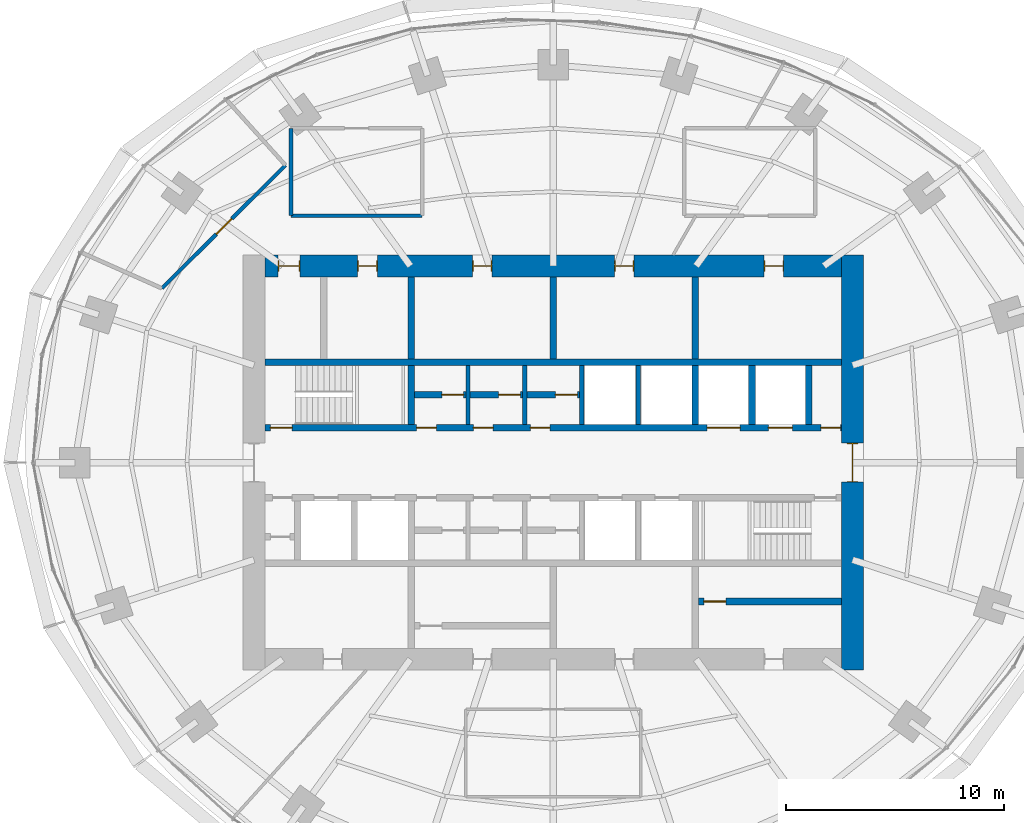
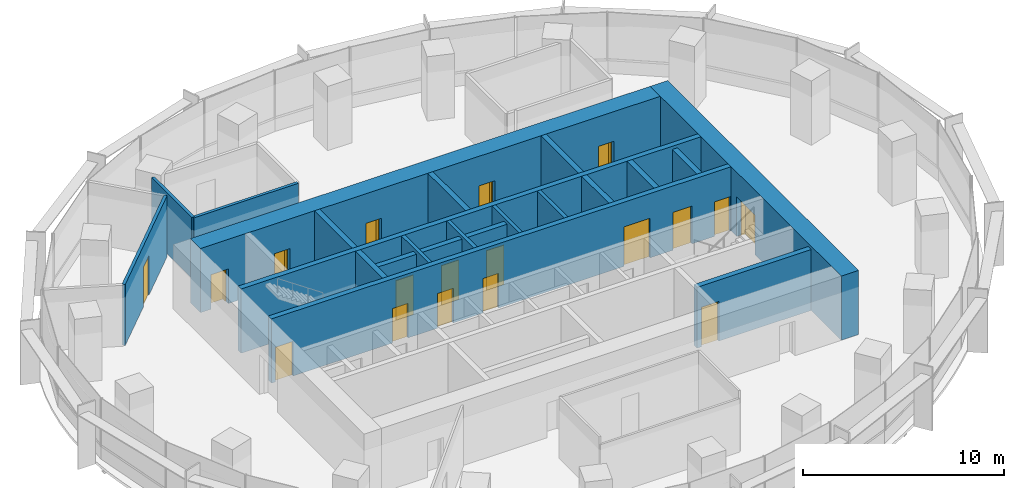
# One storey, part 11 of 14: 22 walls, 18 doors, 18 openings.
"""IFC4 building model written with IfcOpenShell, lengths in metres."""

from ifc_helpers import new_model, si_unit, direction, frame, frame_2d, origin, place, context, subcontext, project, spatial, rectangle, extrude, material, layer, layer_set, type_object, element, fill, save


model = new_model("IFC4")

# Units and contexts
model_context = context("Model", 3, precision=1e-05, world=origin(), true_north=direction((0.0, 1.0)))
body_context = subcontext(model_context, "Body", "Model", "MODEL_VIEW")
ifc_project = project(units=[si_unit("LENGTHUNIT", "METRE"), si_unit("AREAUNIT", "SQUARE_METRE"), si_unit("VOLUMEUNIT", "CUBIC_METRE"), si_unit("PLANEANGLEUNIT", "RADIAN"), si_unit("MASSUNIT", "GRAM", prefix="KILO")], contexts=[model_context])

# Site, building, storey
site_placement = place(None, origin())
site = spatial("IfcSite", under=ifc_project, at=site_placement, CompositionType="ELEMENT")
building_placement = place(site_placement, origin())
building = spatial("IfcBuilding", under=site, at=building_placement, Name="Marramba Exchange Tower", CompositionType="ELEMENT")
storey_placement = place(building_placement, frame((0.0, 0.0, 242.300048828125)))
storey = spatial("IfcBuildingStorey", under=building, at=storey_placement, Name="L59", CompositionType="ELEMENT", Elevation=242.300048828125)

# Walls
ifc_material_1 = material(Name="Plasterboard on staggered double steel studs, acoustic insulation", Category="steel")
ifc_layer_1 = layer(ifc_material_1, 0.169921875)
ifc_layer_set_1 = layer_set([ifc_layer_1], Name="Acoustic partition 170")
wall_type_1 = type_object("IfcWallType", Name="Acoustic partition 170", PredefinedType="PARTITIONING", material=ifc_layer_set_1)
wall_1_placement = place(storey_placement, frame((-6.0, 11.300048828125, 0.0), z_axis=(0.0, 0.0, 1.0), x_axis=(-1.0, 0.0, 0.0)))
element("IfcWall", 1, at=wall_1_placement, inside=storey, type_object=wall_type_1, Name="Acoustic partition L59 14", PredefinedType="PARTITIONING", context=body_context, shape_type="SweptSolid", body=[
    extrude(rectangle(XDim=6.0, YDim=0.169921875, at=frame_2d((3.0, 0.0))), origin(), (0.0, 0.0, 1.0), 3.699951171875),
])
wall_2_placement = place(storey_placement, frame((-12.0, 11.300048828125, 0.0), z_axis=(0.0, 0.0, 1.0), x_axis=(0.0, 1.0, 0.0)))
element("IfcWall", 2, at=wall_2_placement, inside=storey, type_object=wall_type_1, Name="Acoustic partition L59 16", PredefinedType="PARTITIONING", context=body_context, shape_type="SweptSolid", body=[
    extrude(rectangle(XDim=4.0, YDim=0.169921875, at=frame_2d((2.0, 0.0))), origin(), (0.0, 0.0, 1.0), 3.699951171875),
])

# Wall, opening, door
wall_3_placement = place(storey_placement, frame((-17.914794921875, 7.976318359375, 0.0), z_axis=(0.0, 0.0, 1.0), x_axis=(0.708725182581, 0.705484667145, 0.0)))
wall_3 = element("IfcWall", 3, at=wall_3_placement, inside=storey, type_object=wall_type_1, Name="Acoustic partition L59 17", PredefinedType="PARTITIONING", context=body_context, shape_type="SweptSolid", body=[
    extrude(rectangle(XDim=7.986083984375, YDim=0.169921875, at=frame_2d((3.9931640625, 0.0))), origin(), (0.0, 0.0, 1.0), 3.699951171875),
])
opening_1_placement = place(wall_3_placement, frame((3.51806640625, 0.0, 0.0)))
opening_1 = element("IfcOpeningElement", 4, at=opening_1_placement, cuts=wall_3, Name="Opening D9", PredefinedType="OPENING", context=body_context, shape_type="SweptSolid", body=[
    extrude(rectangle(XDim=1.0, YDim=2.39990234375, at=frame_2d((0.5, 1.199951171875))), frame((0.0, 0.094970703125, 0.0), z_axis=(0.0, -1.0, 0.0), x_axis=(1.0, 0.0, 0.0)), (0.0, 0.0, 1.0), 0.18994140625),
])
ifc_material_2 = material(Name="Timber door", Category="wood")
door_type_1 = type_object("IfcDoorType", Name="Room door 1000x2400", OperationType="SINGLE_SWING_LEFT", PredefinedType="DOOR", material=ifc_material_2)
door_1_placement = place(opening_1_placement, origin())
door_1 = element("IfcDoor", 5, at=door_1_placement, inside=storey, type_object=door_type_1, Name="D9 Interview Room L59", OperationType="SINGLE_SWING_RIGHT", OverallHeight=2.39990234375, OverallWidth=1.0, PredefinedType="DOOR", context=body_context, shape_type="SweptSolid", body=[
    extrude(rectangle(XDim=1.0, YDim=2.39990234375, at=frame_2d((0.5, 1.199951171875))), frame((0.0, 0.02490234375, 0.0), z_axis=(0.0, -1.0, 0.0), x_axis=(1.0, 0.0, 0.0)), (0.0, 0.0, 1.0), 0.050048828125),
])
fill(opening_1, door_1)

# Walls
ifc_material_3 = material(Name="Concrete N50", Category="concrete")
ifc_layer_2 = layer(ifc_material_3, 0.199951171875)
ifc_layer_set_2 = layer_set([ifc_layer_2], Name="Core shaft wall 200")
wall_type_2 = type_object("IfcWallType", Name="Core shaft wall 200", PredefinedType="SHEAR", material=ifc_layer_set_2)
for number, where, z_axis, x_axis, name in (
    (6, (-3.89990234375, 1.75, 0.0), (0.0, 0.0, 1.0), (0.0, 1.0, 0.0), "Core wall SHN1 L59"),
    (7, (-1.300048828125, 1.75, 0.0), (0.0, 0.0, 1.0), (0.0, 1.0, 0.0), "Core wall SHN2 L59"),
    (8, (1.300048828125, 1.75, 0.0), (0.0, 0.0, 1.0), (0.0, 1.0, 0.0), "Core wall SHN3 L59"),
    (9, (3.89990234375, 1.75, 0.0), (0.0, 0.0, 1.0), (0.0, 1.0, 0.0), "Core wall SHN4 L59"),
):
    element("IfcWall", number, at=place(storey_placement, frame(where, z_axis=z_axis, x_axis=x_axis)), inside=storey, type_object=wall_type_2, Name=name, PredefinedType="SHEAR", context=body_context, shape_type="SweptSolid", body=[
        extrude(rectangle(XDim=2.699951171875, YDim=0.199951171875, at=frame_2d((1.35009765625, 0.0))), origin(), (0.0, 0.0, 1.0), 3.89990234375),
    ])

# Wall, openings, doors
ifc_layer_3 = layer(ifc_material_3, 1.0)
ifc_layer_set_3 = layer_set([ifc_layer_3], Name="Core wall 1000")
wall_type_3 = type_object("IfcWallType", Name="Core wall 1000", PredefinedType="SHEAR", material=ifc_layer_set_3)
wall_4_placement = place(storey_placement, frame((13.199951171875, 9.0, 0.0), z_axis=(0.0, 0.0, 1.0), x_axis=(-1.0, 0.0, 0.0)))
wall_4 = element("IfcWall", 10, at=wall_4_placement, inside=storey, type_object=wall_type_3, Name="Core wall N L59", PredefinedType="SHEAR", context=body_context, shape_type="SweptSolid", body=[
    extrude(rectangle(XDim=26.39990234375, YDim=1.0, at=frame_2d((13.199951171875, 0.0))), origin(), (0.0, 0.0, 1.0), 3.89990234375),
])
opening_2_placement = place(wall_4_placement, frame((2.64990234375, 0.0, 0.0)))
opening_2 = element("IfcOpeningElement", 11, at=opening_2_placement, cuts=wall_4, Name="Opening D5", PredefinedType="OPENING", context=body_context, shape_type="SweptSolid", body=[
    extrude(rectangle(XDim=0.89990234375, YDim=2.10009765625, at=frame_2d((0.449951171875, 1.050048828125))), frame((0.0, 0.510009765625, 0.0), z_axis=(0.0, -1.0, 0.0), x_axis=(1.0, 0.0, 0.0)), (0.0, 0.0, 1.0), 1.02001953125),
])
opening_3_placement = place(wall_4_placement, frame((9.5, 0.0, 0.0)))
opening_3 = element("IfcOpeningElement", 12, at=opening_3_placement, cuts=wall_4, Name="Opening D3", PredefinedType="OPENING", context=body_context, shape_type="SweptSolid", body=[
    extrude(rectangle(XDim=0.89990234375, YDim=2.10009765625, at=frame_2d((0.449951171875, 1.050048828125))), frame((0.0, 0.510009765625, 0.0), z_axis=(0.0, -1.0, 0.0), x_axis=(1.0, 0.0, 0.0)), (0.0, 0.0, 1.0), 1.02001953125),
])
opening_4_placement = place(wall_4_placement, frame((16.0, 0.0, 0.0)))
opening_4 = element("IfcOpeningElement", 13, at=opening_4_placement, cuts=wall_4, Name="Opening D3", PredefinedType="OPENING", context=body_context, shape_type="SweptSolid", body=[
    extrude(rectangle(XDim=0.89990234375, YDim=2.10009765625, at=frame_2d((0.449951171875, 1.050048828125))), frame((0.0, 0.510009765625, 0.0), z_axis=(0.0, -1.0, 0.0), x_axis=(1.0, 0.0, 0.0)), (0.0, 0.0, 1.0), 1.02001953125),
])
opening_5_placement = place(wall_4_placement, frame((21.25, 0.0, 0.0)))
opening_5 = element("IfcOpeningElement", 14, at=opening_5_placement, cuts=wall_4, Name="Opening D5", PredefinedType="OPENING", context=body_context, shape_type="SweptSolid", body=[
    extrude(rectangle(XDim=0.89990234375, YDim=2.10009765625, at=frame_2d((0.449951171875, 1.050048828125))), frame((0.0, 0.510009765625, 0.0), z_axis=(0.0, -1.0, 0.0), x_axis=(1.0, 0.0, 0.0)), (0.0, 0.0, 1.0), 1.02001953125),
])
opening_6_placement = place(wall_4_placement, frame((24.800048828125, 0.0, 0.0)))
opening_6 = element("IfcOpeningElement", 15, at=opening_6_placement, cuts=wall_4, Name="Opening D4", PredefinedType="OPENING", context=body_context, shape_type="SweptSolid", body=[
    extrude(rectangle(XDim=1.0, YDim=2.10009765625, at=frame_2d((0.5, 1.050048828125))), frame((0.0, 0.510009765625, 0.0), z_axis=(0.0, -1.0, 0.0), x_axis=(1.0, 0.0, 0.0)), (0.0, 0.0, 1.0), 1.02001953125),
])
ifc_material_4 = material(Name="Steel-framed door", Category="steel")
door_type_2 = type_object("IfcDoorType", Name="Accessible toilet door 1000x2100", OperationType="SINGLE_SWING_LEFT", PredefinedType="DOOR", material=ifc_material_4)
door_2_placement = place(opening_6_placement, origin())
door_2 = element("IfcDoor", 16, at=door_2_placement, inside=storey, type_object=door_type_2, Name="D4 awc L59", OperationType="SINGLE_SWING_RIGHT", OverallHeight=2.10009765625, OverallWidth=1.0, PredefinedType="DOOR", context=body_context, shape_type="SweptSolid", body=[
    extrude(rectangle(XDim=0.919921875, YDim=2.06005859375, at=frame_2d((0.5, 1.030029296875))), frame((0.0, 0.02490234375, 0.0), z_axis=(0.0, -1.0, 0.0), x_axis=(1.0, 0.0, 0.0)), (0.0, 0.0, 1.0), 0.050048828125),
    extrude(rectangle(XDim=0.04, YDim=2.10009765625, at=frame_2d((0.02001953125, 1.050048828125))), frame((0.0, 0.25, 0.0), z_axis=(0.0, -1.0, 0.0), x_axis=(1.0, 0.0, 0.0)), (0.0, 0.0, 1.0), 0.5),
    extrude(rectangle(XDim=0.04, YDim=2.10009765625, at=frame_2d((0.97998046875, 1.050048828125))), frame((0.0, 0.25, 0.0), z_axis=(0.0, -1.0, 0.0), x_axis=(1.0, 0.0, 0.0)), (0.0, 0.0, 1.0), 0.5),
    extrude(rectangle(XDim=0.919921875, YDim=0.04, at=frame_2d((0.5, 2.080078125))), frame((0.0, 0.25, 0.0), z_axis=(0.0, -1.0, 0.0), x_axis=(1.0, 0.0, 0.0)), (0.0, 0.0, 1.0), 0.5),
])
fill(opening_6, door_2)
door_type_3 = type_object("IfcDoorType", Name="Service door 900x2100", OperationType="SINGLE_SWING_LEFT", PredefinedType="DOOR", material=ifc_material_4)
door_3_placement = place(opening_2_placement, origin())
door_3 = element("IfcDoor", 17, at=door_3_placement, inside=storey, type_object=door_type_3, Name="D5 comms L59", OperationType="SINGLE_SWING_LEFT", OverallHeight=2.10009765625, OverallWidth=0.89990234375, PredefinedType="DOOR", context=body_context, shape_type="SweptSolid", body=[
    extrude(rectangle(XDim=0.81982421875, YDim=2.06005859375, at=frame_2d((0.449951171875, 1.030029296875))), frame((0.0, 0.02490234375, 0.0), z_axis=(0.0, -1.0, 0.0), x_axis=(1.0, 0.0, 0.0)), (0.0, 0.0, 1.0), 0.050048828125),
    extrude(rectangle(XDim=0.04, YDim=2.10009765625, at=frame_2d((0.02001953125, 1.050048828125))), frame((0.0, 0.25, 0.0), z_axis=(0.0, -1.0, 0.0), x_axis=(1.0, 0.0, 0.0)), (0.0, 0.0, 1.0), 0.5),
    extrude(rectangle(XDim=0.04, YDim=2.10009765625, at=frame_2d((0.8798828125, 1.050048828125))), frame((0.0, 0.25, 0.0), z_axis=(0.0, -1.0, 0.0), x_axis=(1.0, 0.0, 0.0)), (0.0, 0.0, 1.0), 0.5),
    extrude(rectangle(XDim=0.81982421875, YDim=0.04, at=frame_2d((0.449951171875, 2.080078125))), frame((0.0, 0.25, 0.0), z_axis=(0.0, -1.0, 0.0), x_axis=(1.0, 0.0, 0.0)), (0.0, 0.0, 1.0), 0.5),
])
fill(opening_2, door_3)
door_4_placement = place(opening_5_placement, origin())
door_4 = element("IfcDoor", 18, at=door_4_placement, inside=storey, type_object=door_type_3, Name="D5 cleaner L59", OperationType="SINGLE_SWING_RIGHT", OverallHeight=2.10009765625, OverallWidth=0.89990234375, PredefinedType="DOOR", context=body_context, shape_type="SweptSolid", body=[
    extrude(rectangle(XDim=0.81982421875, YDim=2.06005859375, at=frame_2d((0.449951171875, 1.030029296875))), frame((0.0, 0.02490234375, 0.0), z_axis=(0.0, -1.0, 0.0), x_axis=(1.0, 0.0, 0.0)), (0.0, 0.0, 1.0), 0.050048828125),
    extrude(rectangle(XDim=0.04, YDim=2.10009765625, at=frame_2d((0.02001953125, 1.050048828125))), frame((0.0, 0.25, 0.0), z_axis=(0.0, -1.0, 0.0), x_axis=(1.0, 0.0, 0.0)), (0.0, 0.0, 1.0), 0.5),
    extrude(rectangle(XDim=0.04, YDim=2.10009765625, at=frame_2d((0.8798828125, 1.050048828125))), frame((0.0, 0.25, 0.0), z_axis=(0.0, -1.0, 0.0), x_axis=(1.0, 0.0, 0.0)), (0.0, 0.0, 1.0), 0.5),
    extrude(rectangle(XDim=0.81982421875, YDim=0.04, at=frame_2d((0.449951171875, 2.080078125))), frame((0.0, 0.25, 0.0), z_axis=(0.0, -1.0, 0.0), x_axis=(1.0, 0.0, 0.0)), (0.0, 0.0, 1.0), 0.5),
])
fill(opening_5, door_4)
door_type_4 = type_object("IfcDoorType", Name="Toilet door 900x2100", OperationType="SINGLE_SWING_LEFT", PredefinedType="DOOR", material=ifc_material_4)
door_5_placement = place(opening_3_placement, origin())
door_5 = element("IfcDoor", 19, at=door_5_placement, inside=storey, type_object=door_type_4, Name="D3 wc-f L59", OperationType="SINGLE_SWING_RIGHT", OverallHeight=2.10009765625, OverallWidth=0.89990234375, PredefinedType="DOOR", context=body_context, shape_type="SweptSolid", body=[
    extrude(rectangle(XDim=0.81982421875, YDim=2.06005859375, at=frame_2d((0.449951171875, 1.030029296875))), frame((0.0, 0.02490234375, 0.0), z_axis=(0.0, -1.0, 0.0), x_axis=(1.0, 0.0, 0.0)), (0.0, 0.0, 1.0), 0.050048828125),
    extrude(rectangle(XDim=0.04, YDim=2.10009765625, at=frame_2d((0.02001953125, 1.050048828125))), frame((0.0, 0.25, 0.0), z_axis=(0.0, -1.0, 0.0), x_axis=(1.0, 0.0, 0.0)), (0.0, 0.0, 1.0), 0.5),
    extrude(rectangle(XDim=0.04, YDim=2.10009765625, at=frame_2d((0.8798828125, 1.050048828125))), frame((0.0, 0.25, 0.0), z_axis=(0.0, -1.0, 0.0), x_axis=(1.0, 0.0, 0.0)), (0.0, 0.0, 1.0), 0.5),
    extrude(rectangle(XDim=0.81982421875, YDim=0.04, at=frame_2d((0.449951171875, 2.080078125))), frame((0.0, 0.25, 0.0), z_axis=(0.0, -1.0, 0.0), x_axis=(1.0, 0.0, 0.0)), (0.0, 0.0, 1.0), 0.5),
])
fill(opening_3, door_5)
door_6_placement = place(opening_4_placement, origin())
door_6 = element("IfcDoor", 20, at=door_6_placement, inside=storey, type_object=door_type_4, Name="D3 wc-m L59", OperationType="SINGLE_SWING_RIGHT", OverallHeight=2.10009765625, OverallWidth=0.89990234375, PredefinedType="DOOR", context=body_context, shape_type="SweptSolid", body=[
    extrude(rectangle(XDim=0.81982421875, YDim=2.06005859375, at=frame_2d((0.449951171875, 1.030029296875))), frame((0.0, 0.02490234375, 0.0), z_axis=(0.0, -1.0, 0.0), x_axis=(1.0, 0.0, 0.0)), (0.0, 0.0, 1.0), 0.050048828125),
    extrude(rectangle(XDim=0.04, YDim=2.10009765625, at=frame_2d((0.02001953125, 1.050048828125))), frame((0.0, 0.25, 0.0), z_axis=(0.0, -1.0, 0.0), x_axis=(1.0, 0.0, 0.0)), (0.0, 0.0, 1.0), 0.5),
    extrude(rectangle(XDim=0.04, YDim=2.10009765625, at=frame_2d((0.8798828125, 1.050048828125))), frame((0.0, 0.25, 0.0), z_axis=(0.0, -1.0, 0.0), x_axis=(1.0, 0.0, 0.0)), (0.0, 0.0, 1.0), 0.5),
    extrude(rectangle(XDim=0.81982421875, YDim=0.04, at=frame_2d((0.449951171875, 2.080078125))), frame((0.0, 0.25, 0.0), z_axis=(0.0, -1.0, 0.0), x_axis=(1.0, 0.0, 0.0)), (0.0, 0.0, 1.0), 0.5),
])
fill(opening_4, door_6)

# Wall, opening, door
wall_5_placement = place(storey_placement, frame((13.699951171875, -9.5, 0.0), z_axis=(0.0, 0.0, 1.0), x_axis=(0.0, 1.0, 0.0)))
wall_5 = element("IfcWall", 21, at=wall_5_placement, inside=storey, type_object=wall_type_3, Name="Core wall E L59", PredefinedType="SHEAR", context=body_context, shape_type="SweptSolid", body=[
    extrude(rectangle(XDim=19.0, YDim=1.0, at=frame_2d((9.5, 0.0))), origin(), (0.0, 0.0, 1.0), 3.89990234375),
])
opening_7_placement = place(wall_5_placement, frame((8.60009765625, 0.0, 0.0)))
opening_7 = element("IfcOpeningElement", 22, at=opening_7_placement, cuts=wall_5, Name="Opening D1", PredefinedType="OPENING", context=body_context, shape_type="SweptSolid", body=[
    extrude(rectangle(XDim=1.800048828125, YDim=2.39990234375, at=frame_2d((0.89990234375, 1.199951171875))), frame((0.0, 0.510009765625, 0.0), z_axis=(0.0, -1.0, 0.0), x_axis=(1.0, 0.0, 0.0)), (0.0, 0.0, 1.0), 1.02001953125),
])
door_type_5 = type_object("IfcDoorType", Name="Lobby exit door 1800x2400", OperationType="DOUBLE_DOOR_SINGLE_SWING", PredefinedType="DOOR", material=ifc_material_4)
door_7_placement = place(opening_7_placement, origin())
door_7 = element("IfcDoor", 23, at=door_7_placement, inside=storey, type_object=door_type_5, Name="D1 lobby exit east L59", OperationType="DOUBLE_DOOR_SINGLE_SWING", OverallHeight=2.39990234375, OverallWidth=1.800048828125, PredefinedType="DOOR", context=body_context, shape_type="SweptSolid", body=[
    extrude(rectangle(XDim=1.719970703125, YDim=2.35986328125, at=frame_2d((0.89990234375, 1.179931640625))), frame((0.0, 0.02490234375, 0.0), z_axis=(0.0, -1.0, 0.0), x_axis=(1.0, 0.0, 0.0)), (0.0, 0.0, 1.0), 0.050048828125),
    extrude(rectangle(XDim=0.04, YDim=2.39990234375, at=frame_2d((0.02001953125, 1.199951171875))), frame((0.0, 0.25, 0.0), z_axis=(0.0, -1.0, 0.0), x_axis=(1.0, 0.0, 0.0)), (0.0, 0.0, 1.0), 0.5),
    extrude(rectangle(XDim=0.04, YDim=2.39990234375, at=frame_2d((1.780029296875, 1.199951171875))), frame((0.0, 0.25, 0.0), z_axis=(0.0, -1.0, 0.0), x_axis=(1.0, 0.0, 0.0)), (0.0, 0.0, 1.0), 0.5),
    extrude(rectangle(XDim=1.719970703125, YDim=0.04, at=frame_2d((0.89990234375, 2.3798828125))), frame((0.0, 0.25, 0.0), z_axis=(0.0, -1.0, 0.0), x_axis=(1.0, 0.0, 0.0)), (0.0, 0.0, 1.0), 0.5),
])
fill(opening_7, door_7)

# Wall, openings, doors
ifc_layer_4 = layer(ifc_material_3, 0.300048828125)
ifc_layer_set_4 = layer_set([ifc_layer_4], Name="Core wall 300")
wall_type_4 = type_object("IfcWallType", Name="Core wall 300", PredefinedType="SHEAR", material=ifc_layer_set_4)
wall_6_placement = place(storey_placement, frame((-13.199951171875, 1.60009765625, 0.0), z_axis=(0.0, 0.0, 1.0), x_axis=(1.0, 0.0, 0.0)))
wall_6 = element("IfcWall", 24, at=wall_6_placement, inside=storey, type_object=wall_type_4, Name="Core wall LN L59", PredefinedType="SHEAR", context=body_context, shape_type="SweptSolid", body=[
    extrude(rectangle(XDim=26.39990234375, YDim=0.300048828125, at=frame_2d((13.199951171875, 0.0))), origin(), (0.0, 0.0, 1.0), 3.89990234375),
])
opening_8_placement = place(wall_6_placement, frame((0.25, 0.0, 0.0)))
opening_8 = element("IfcOpeningElement", 25, at=opening_8_placement, cuts=wall_6, Name="Opening D2", PredefinedType="OPENING", context=body_context, shape_type="SweptSolid", body=[
    extrude(rectangle(XDim=1.0, YDim=2.10009765625, at=frame_2d((0.5, 1.050048828125))), frame((0.0, 0.159912109375, 0.0), z_axis=(0.0, -1.0, 0.0), x_axis=(1.0, 0.0, 0.0)), (0.0, 0.0, 1.0), 0.320068359375),
])
opening_9_placement = place(wall_6_placement, frame((23.050048828125, 0.0, 0.0)))
opening_9 = element("IfcOpeningElement", 26, at=opening_9_placement, cuts=wall_6, Name="Opening LD1", PredefinedType="OPENING", context=body_context, shape_type="SweptSolid", body=[
    extrude(rectangle(XDim=1.10009765625, YDim=2.300048828125, at=frame_2d((0.550048828125, 1.14990234375))), frame((0.0, 0.159912109375, 0.0), z_axis=(0.0, -1.0, 0.0), x_axis=(1.0, 0.0, 0.0)), (0.0, 0.0, 1.0), 0.320068359375),
])
opening_10_placement = place(wall_6_placement, frame((20.25, 0.0, 0.0)))
opening_10 = element("IfcOpeningElement", 27, at=opening_10_placement, cuts=wall_6, Name="Opening LD3", PredefinedType="OPENING", context=body_context, shape_type="SweptSolid", body=[
    extrude(rectangle(XDim=1.5, YDim=2.39990234375, at=frame_2d((0.75, 1.199951171875))), frame((0.0, 0.159912109375, 0.0), z_axis=(0.0, -1.0, 0.0), x_axis=(1.0, 0.0, 0.0)), (0.0, 0.0, 1.0), 0.320068359375),
])
opening_11_placement = place(wall_6_placement, frame((6.949951171875, 0.0, 0.0)))
opening_11 = element("IfcOpeningElement", 28, at=opening_11_placement, cuts=wall_6, Name="Opening D5", PredefinedType="OPENING", context=body_context, shape_type="SweptSolid", body=[
    extrude(rectangle(XDim=0.89990234375, YDim=2.10009765625, at=frame_2d((0.449951171875, 1.050048828125))), frame((0.0, 0.159912109375, 0.0), z_axis=(0.0, -1.0, 0.0), x_axis=(1.0, 0.0, 0.0)), (0.0, 0.0, 1.0), 0.320068359375),
])
opening_12_placement = place(wall_6_placement, frame((9.550048828125, 0.0, 0.0)))
opening_12 = element("IfcOpeningElement", 29, at=opening_12_placement, cuts=wall_6, Name="Opening D5", PredefinedType="OPENING", context=body_context, shape_type="SweptSolid", body=[
    extrude(rectangle(XDim=0.89990234375, YDim=2.10009765625, at=frame_2d((0.449951171875, 1.050048828125))), frame((0.0, 0.159912109375, 0.0), z_axis=(0.0, -1.0, 0.0), x_axis=(1.0, 0.0, 0.0)), (0.0, 0.0, 1.0), 0.320068359375),
])
opening_13_placement = place(wall_6_placement, frame((12.14990234375, 0.0, 0.0)))
opening_13 = element("IfcOpeningElement", 30, at=opening_13_placement, cuts=wall_6, Name="Opening D5", PredefinedType="OPENING", context=body_context, shape_type="SweptSolid", body=[
    extrude(rectangle(XDim=0.89990234375, YDim=2.10009765625, at=frame_2d((0.449951171875, 1.050048828125))), frame((0.0, 0.159912109375, 0.0), z_axis=(0.0, -1.0, 0.0), x_axis=(1.0, 0.0, 0.0)), (0.0, 0.0, 1.0), 0.320068359375),
])
opening_14_placement = place(wall_6_placement, frame((25.449951171875, 0.0, 0.0)))
opening_14 = element("IfcOpeningElement", 31, at=opening_14_placement, cuts=wall_6, Name="Opening D5", PredefinedType="OPENING", context=body_context, shape_type="SweptSolid", body=[
    extrude(rectangle(XDim=0.89990234375, YDim=2.10009765625, at=frame_2d((0.449951171875, 1.050048828125))), frame((0.0, 0.159912109375, 0.0), z_axis=(0.0, -1.0, 0.0), x_axis=(1.0, 0.0, 0.0)), (0.0, 0.0, 1.0), 0.320068359375),
])
door_type_6 = type_object("IfcDoorType", Name="Goods lift landing door 1500x2400", OperationType="SLIDING_TO_LEFT", PredefinedType="DOOR", material=ifc_material_4)
door_8_placement = place(opening_10_placement, origin())
door_8 = element("IfcDoor", 32, at=door_8_placement, inside=storey, type_object=door_type_6, Name="GL1 landing door L59", OperationType="SLIDING_TO_LEFT", OverallHeight=2.39990234375, OverallWidth=1.5, PredefinedType="DOOR", context=body_context, shape_type="SweptSolid", body=[
    extrude(rectangle(XDim=1.5, YDim=2.39990234375, at=frame_2d((0.75, 1.199951171875))), frame((0.0, 0.02490234375, 0.0), z_axis=(0.0, -1.0, 0.0), x_axis=(1.0, 0.0, 0.0)), (0.0, 0.0, 1.0), 0.050048828125),
])
fill(opening_10, door_8)
door_type_7 = type_object("IfcDoorType", Name="Lift landing door 1100x2300", OperationType="SLIDING_TO_LEFT", PredefinedType="DOOR", material=ifc_material_4)
door_9_placement = place(opening_9_placement, origin())
door_9 = element("IfcDoor", 33, at=door_9_placement, inside=storey, type_object=door_type_7, Name="LC3 landing door L59", OperationType="SLIDING_TO_LEFT", OverallHeight=2.300048828125, OverallWidth=1.10009765625, PredefinedType="DOOR", context=body_context, shape_type="SweptSolid", body=[
    extrude(rectangle(XDim=1.10009765625, YDim=2.300048828125, at=frame_2d((0.550048828125, 1.14990234375))), frame((0.0, 0.02490234375, 0.0), z_axis=(0.0, -1.0, 0.0), x_axis=(1.0, 0.0, 0.0)), (0.0, 0.0, 1.0), 0.050048828125),
])
fill(opening_9, door_9)
door_10_placement = place(opening_11_placement, origin())
door_10 = element("IfcDoor", 34, at=door_10_placement, inside=storey, type_object=door_type_3, Name="D5 switch room L59", OperationType="SINGLE_SWING_LEFT", OverallHeight=2.10009765625, OverallWidth=0.89990234375, PredefinedType="DOOR", context=body_context, shape_type="SweptSolid", body=[
    extrude(rectangle(XDim=0.89990234375, YDim=2.10009765625, at=frame_2d((0.449951171875, 1.050048828125))), frame((0.0, 0.02490234375, 0.0), z_axis=(0.0, -1.0, 0.0), x_axis=(1.0, 0.0, 0.0)), (0.0, 0.0, 1.0), 0.050048828125),
])
fill(opening_11, door_10)
door_11_placement = place(opening_12_placement, origin())
door_11 = element("IfcDoor", 35, at=door_11_placement, inside=storey, type_object=door_type_3, Name="D5 recycling room L59", OperationType="SINGLE_SWING_LEFT", OverallHeight=2.10009765625, OverallWidth=0.89990234375, PredefinedType="DOOR", context=body_context, shape_type="SweptSolid", body=[
    extrude(rectangle(XDim=0.89990234375, YDim=2.10009765625, at=frame_2d((0.449951171875, 1.050048828125))), frame((0.0, 0.02490234375, 0.0), z_axis=(0.0, -1.0, 0.0), x_axis=(1.0, 0.0, 0.0)), (0.0, 0.0, 1.0), 0.050048828125),
])
fill(opening_12, door_11)
door_12_placement = place(opening_13_placement, origin())
door_12 = element("IfcDoor", 36, at=door_12_placement, inside=storey, type_object=door_type_3, Name="D5 general store L59", OperationType="SINGLE_SWING_LEFT", OverallHeight=2.10009765625, OverallWidth=0.89990234375, PredefinedType="DOOR", context=body_context, shape_type="SweptSolid", body=[
    extrude(rectangle(XDim=0.89990234375, YDim=2.10009765625, at=frame_2d((0.449951171875, 1.050048828125))), frame((0.0, 0.02490234375, 0.0), z_axis=(0.0, -1.0, 0.0), x_axis=(1.0, 0.0, 0.0)), (0.0, 0.0, 1.0), 0.050048828125),
])
fill(opening_13, door_12)
door_13_placement = place(opening_14_placement, origin())
door_13 = element("IfcDoor", 37, at=door_13_placement, inside=storey, type_object=door_type_3, Name="D5 riser L59", OperationType="SINGLE_SWING_RIGHT", OverallHeight=2.10009765625, OverallWidth=0.89990234375, PredefinedType="DOOR", context=body_context, shape_type="SweptSolid", body=[
    extrude(rectangle(XDim=0.89990234375, YDim=2.10009765625, at=frame_2d((0.449951171875, 1.050048828125))), frame((0.0, 0.02490234375, 0.0), z_axis=(0.0, -1.0, 0.0), x_axis=(1.0, 0.0, 0.0)), (0.0, 0.0, 1.0), 0.050048828125),
])
fill(opening_14, door_13)
door_type_8 = type_object("IfcDoorType", Name="Stair door 1000x2100", OperationType="SINGLE_SWING_LEFT", PredefinedType="DOOR", material=ifc_material_4)
door_14_placement = place(opening_8_placement, origin())
door_14 = element("IfcDoor", 38, at=door_14_placement, inside=storey, type_object=door_type_8, Name="D2 stair ST1 L59", OperationType="SINGLE_SWING_LEFT", OverallHeight=2.10009765625, OverallWidth=1.0, PredefinedType="DOOR", context=body_context, shape_type="SweptSolid", body=[
    extrude(rectangle(XDim=1.0, YDim=2.10009765625, at=frame_2d((0.5, 1.050048828125))), frame((0.0, 0.02490234375, 0.0), z_axis=(0.0, -1.0, 0.0), x_axis=(1.0, 0.0, 0.0)), (0.0, 0.0, 1.0), 0.050048828125),
])
fill(opening_8, door_14)

# Walls
wall_7_placement = place(storey_placement, frame((-13.199951171875, 4.60009765625, 0.0), z_axis=(0.0, 0.0, 1.0), x_axis=(1.0, 0.0, 0.0)))
element("IfcWall", 39, at=wall_7_placement, inside=storey, type_object=wall_type_4, Name="Core wall BN L59", PredefinedType="SHEAR", context=body_context, shape_type="SweptSolid", body=[
    extrude(rectangle(XDim=26.39990234375, YDim=0.300048828125, at=frame_2d((13.199951171875, 0.0))), origin(), (0.0, 0.0, 1.0), 3.89990234375),
])
wall_8_placement = place(storey_placement, frame((-6.5, 1.75, 0.0), z_axis=(0.0, 0.0, 1.0), x_axis=(0.0, 1.0, 0.0)))
element("IfcWall", 40, at=wall_8_placement, inside=storey, type_object=wall_type_4, Name="Core wall X0Na L59", PredefinedType="SHEAR", context=body_context, shape_type="SweptSolid", body=[
    extrude(rectangle(XDim=2.699951171875, YDim=0.300048828125, at=frame_2d((1.35009765625, 0.0))), origin(), (0.0, 0.0, 1.0), 3.89990234375),
])
wall_9_placement = place(storey_placement, frame((-6.5, 4.75, 0.0), z_axis=(0.0, 0.0, 1.0), x_axis=(0.0, 1.0, 0.0)))
element("IfcWall", 41, at=wall_9_placement, inside=storey, type_object=wall_type_4, Name="Core wall X0Nb L59", PredefinedType="SHEAR", context=body_context, shape_type="SweptSolid", body=[
    extrude(rectangle(XDim=3.75, YDim=0.300048828125, at=frame_2d((1.875, 0.0))), origin(), (0.0, 0.0, 1.0), 3.89990234375),
])
wall_10_placement = place(storey_placement, frame((6.5, 1.75, 0.0), z_axis=(0.0, 0.0, 1.0), x_axis=(0.0, 1.0, 0.0)))
element("IfcWall", 42, at=wall_10_placement, inside=storey, type_object=wall_type_4, Name="Core wall X1Na L59", PredefinedType="SHEAR", context=body_context, shape_type="SweptSolid", body=[
    extrude(rectangle(XDim=2.699951171875, YDim=0.300048828125, at=frame_2d((1.35009765625, 0.0))), origin(), (0.0, 0.0, 1.0), 3.89990234375),
])
for number, where, z_axis, x_axis, name in (
    (43, (6.5, 4.75, 0.0), (0.0, 0.0, 1.0), (0.0, 1.0, 0.0), "Core wall X1Nb L59"),
    (44, (0.0, 4.75, 0.0), (0.0, 0.0, 1.0), (0.0, 1.0, 0.0), "Core wall MN L59"),
):
    element("IfcWall", number, at=place(storey_placement, frame(where, z_axis=z_axis, x_axis=x_axis)), inside=storey, type_object=wall_type_4, Name=name, PredefinedType="SHEAR", context=body_context, shape_type="SweptSolid", body=[
        extrude(rectangle(XDim=3.75, YDim=0.300048828125, at=frame_2d((1.875, 0.0))), origin(), (0.0, 0.0, 1.0), 3.89990234375),
    ])
wall_11_placement = place(storey_placement, frame((9.10009765625, 1.75, 0.0), z_axis=(0.0, 0.0, 1.0), x_axis=(0.0, 1.0, 0.0)))
element("IfcWall", 45, at=wall_11_placement, inside=storey, type_object=wall_type_4, Name="Core wall ED L59", PredefinedType="SHEAR", context=body_context, shape_type="SweptSolid", body=[
    extrude(rectangle(XDim=2.699951171875, YDim=0.300048828125, at=frame_2d((1.35009765625, 0.0))), origin(), (0.0, 0.0, 1.0), 3.89990234375),
])
ifc_material_5 = material(Name="Core-filled concrete blockwork", Category="masonry")
ifc_layer_5 = layer(ifc_material_5, 0.300048828125)
ifc_layer_set_5 = layer_set([ifc_layer_5], Name="Lift shaft wall 300")
wall_type_5 = type_object("IfcWallType", Name="Lift shaft wall 300", PredefinedType="SOLIDWALL", material=ifc_layer_set_5)
wall_12_placement = place(storey_placement, frame((11.699951171875, 1.75, 0.0), z_axis=(0.0, 0.0, 1.0), x_axis=(0.0, 1.0, 0.0)))
element("IfcWall", 46, at=wall_12_placement, inside=storey, type_object=wall_type_5, Name="Lift shaft wall E1 L59", PredefinedType="SOLIDWALL", context=body_context, shape_type="SweptSolid", body=[
    extrude(rectangle(XDim=2.699951171875, YDim=0.300048828125, at=frame_2d((1.35009765625, 0.0))), origin(), (0.0, 0.0, 1.0), 3.699951171875),
])

# Wall, opening, door
ifc_material_6 = material(Name="Plasterboard on steel studs, insulated, unrated", Category="steel")
ifc_layer_6 = layer(ifc_material_6, 0.300048828125)
ifc_layer_set_6 = layer_set([ifc_layer_6], Name="Store partition 300")
wall_type_6 = type_object("IfcWallType", Name="Store partition 300", PredefinedType="PARTITIONING", material=ifc_layer_set_6)
wall_13_placement = place(storey_placement, frame((-6.35009765625, 3.10009765625, 0.0), z_axis=(0.0, 0.0, 1.0), x_axis=(1.0, 0.0, 0.0)))
wall_13 = element("IfcWall", 47, at=wall_13_placement, inside=storey, type_object=wall_type_6, Name="Store partition L59 N1", PredefinedType="PARTITIONING", context=body_context, shape_type="SweptSolid", body=[
    extrude(rectangle(XDim=2.35009765625, YDim=0.300048828125, at=frame_2d((1.175048828125, 0.0))), origin(), (0.0, 0.0, 1.0), 3.699951171875),
])
opening_15_placement = place(wall_13_placement, frame((1.25, 0.0, 0.0)))
opening_15 = element("IfcOpeningElement", 48, at=opening_15_placement, cuts=wall_13, Name="Opening D9", PredefinedType="OPENING", context=body_context, shape_type="SweptSolid", body=[
    extrude(rectangle(XDim=1.0, YDim=2.39990234375, at=frame_2d((0.5, 1.199951171875))), frame((0.0, 0.159912109375, 0.0), z_axis=(0.0, -1.0, 0.0), x_axis=(1.0, 0.0, 0.0)), (0.0, 0.0, 1.0), 0.320068359375),
])
door_15_placement = place(opening_15_placement, origin())
door_15 = element("IfcDoor", 49, at=door_15_placement, inside=storey, type_object=door_type_1, Name="D9 store room N1 L59", OperationType="SINGLE_SWING_RIGHT", OverallHeight=2.39990234375, OverallWidth=1.0, PredefinedType="DOOR", context=body_context, shape_type="SweptSolid", body=[
    extrude(rectangle(XDim=1.0, YDim=2.39990234375, at=frame_2d((0.5, 1.199951171875))), frame((0.0, 0.02490234375, 0.0), z_axis=(0.0, -1.0, 0.0), x_axis=(1.0, 0.0, 0.0)), (0.0, 0.0, 1.0), 0.050048828125),
])
fill(opening_15, door_15)

wall_14_placement = place(storey_placement, frame((-3.800048828125, 3.10009765625, 0.0), z_axis=(0.0, 0.0, 1.0), x_axis=(1.0, 0.0, 0.0)))
wall_14 = element("IfcWall", 50, at=wall_14_placement, inside=storey, type_object=wall_type_6, Name="Store partition L59 N2", PredefinedType="PARTITIONING", context=body_context, shape_type="SweptSolid", body=[
    extrude(rectangle(XDim=2.400146484375, YDim=0.300048828125, at=frame_2d((1.2001953125, 0.0))), origin(), (0.0, 0.0, 1.0), 3.699951171875),
])
opening_16_placement = place(wall_14_placement, frame((1.300048828125, 0.0, 0.0)))
opening_16 = element("IfcOpeningElement", 51, at=opening_16_placement, cuts=wall_14, Name="Opening D9", PredefinedType="OPENING", context=body_context, shape_type="SweptSolid", body=[
    extrude(rectangle(XDim=1.0, YDim=2.39990234375, at=frame_2d((0.5, 1.199951171875))), frame((0.0, 0.159912109375, 0.0), z_axis=(0.0, -1.0, 0.0), x_axis=(1.0, 0.0, 0.0)), (0.0, 0.0, 1.0), 0.320068359375),
])
door_16_placement = place(opening_16_placement, origin())
door_16 = element("IfcDoor", 52, at=door_16_placement, inside=storey, type_object=door_type_1, Name="D9 store room N2 L59", OperationType="SINGLE_SWING_RIGHT", OverallHeight=2.39990234375, OverallWidth=1.0, PredefinedType="DOOR", context=body_context, shape_type="SweptSolid", body=[
    extrude(rectangle(XDim=1.0, YDim=2.39990234375, at=frame_2d((0.5, 1.199951171875))), frame((0.0, 0.02490234375, 0.0), z_axis=(0.0, -1.0, 0.0), x_axis=(1.0, 0.0, 0.0)), (0.0, 0.0, 1.0), 0.050048828125),
])
fill(opening_16, door_16)

wall_15_placement = place(storey_placement, frame((-1.199951171875, 3.10009765625, 0.0), z_axis=(0.0, 0.0, 1.0), x_axis=(1.0, 0.0, 0.0)))
wall_15 = element("IfcWall", 53, at=wall_15_placement, inside=storey, type_object=wall_type_6, Name="Store partition L59 N3", PredefinedType="PARTITIONING", context=body_context, shape_type="SweptSolid", body=[
    extrude(rectangle(XDim=2.39990234375, YDim=0.300048828125, at=frame_2d((1.199951171875, 0.0))), origin(), (0.0, 0.0, 1.0), 3.699951171875),
])
opening_17_placement = place(wall_15_placement, frame((1.300048828125, 0.0, 0.0)))
opening_17 = element("IfcOpeningElement", 54, at=opening_17_placement, cuts=wall_15, Name="Opening D9", PredefinedType="OPENING", context=body_context, shape_type="SweptSolid", body=[
    extrude(rectangle(XDim=1.0, YDim=2.39990234375, at=frame_2d((0.5, 1.199951171875))), frame((0.0, 0.159912109375, 0.0), z_axis=(0.0, -1.0, 0.0), x_axis=(1.0, 0.0, 0.0)), (0.0, 0.0, 1.0), 0.320068359375),
])
door_17_placement = place(opening_17_placement, origin())
door_17 = element("IfcDoor", 55, at=door_17_placement, inside=storey, type_object=door_type_1, Name="D9 store room N3 L59", OperationType="SINGLE_SWING_RIGHT", OverallHeight=2.39990234375, OverallWidth=1.0, PredefinedType="DOOR", context=body_context, shape_type="SweptSolid", body=[
    extrude(rectangle(XDim=1.0, YDim=2.39990234375, at=frame_2d((0.5, 1.199951171875))), frame((0.0, 0.02490234375, 0.0), z_axis=(0.0, -1.0, 0.0), x_axis=(1.0, 0.0, 0.0)), (0.0, 0.0, 1.0), 0.050048828125),
])
fill(opening_17, door_17)

wall_16_placement = place(storey_placement, frame((6.64990234375, -6.360107421875, 0.0), z_axis=(0.0, 0.0, 1.0), x_axis=(1.0, 0.0, 0.0)))
wall_16 = element("IfcWall", 56, at=wall_16_placement, inside=storey, type_object=wall_type_6, Name="Store partition L59 cstore", PredefinedType="PARTITIONING", context=body_context, shape_type="SweptSolid", body=[
    extrude(rectangle(XDim=6.550048828125, YDim=0.300048828125, at=frame_2d((3.27490234375, 0.0))), origin(), (0.0, 0.0, 1.0), 3.699951171875),
])
opening_18_placement = place(wall_16_placement, frame((0.25, 0.0, 0.0)))
opening_18 = element("IfcOpeningElement", 57, at=opening_18_placement, cuts=wall_16, Name="Opening D9", PredefinedType="OPENING", context=body_context, shape_type="SweptSolid", body=[
    extrude(rectangle(XDim=1.0, YDim=2.39990234375, at=frame_2d((0.5, 1.199951171875))), frame((0.0, 0.159912109375, 0.0), z_axis=(0.0, -1.0, 0.0), x_axis=(1.0, 0.0, 0.0)), (0.0, 0.0, 1.0), 0.320068359375),
])
door_18_placement = place(opening_18_placement, origin())
door_18 = element("IfcDoor", 58, at=door_18_placement, inside=storey, type_object=door_type_1, Name="D9 general store L59", OperationType="SINGLE_SWING_LEFT", OverallHeight=2.39990234375, OverallWidth=1.0, PredefinedType="DOOR", context=body_context, shape_type="SweptSolid", body=[
    extrude(rectangle(XDim=1.0, YDim=2.39990234375, at=frame_2d((0.5, 1.199951171875))), frame((0.0, 0.02490234375, 0.0), z_axis=(0.0, -1.0, 0.0), x_axis=(1.0, 0.0, 0.0)), (0.0, 0.0, 1.0), 0.050048828125),
])
fill(opening_18, door_18)

save(model, "model.ifc")
